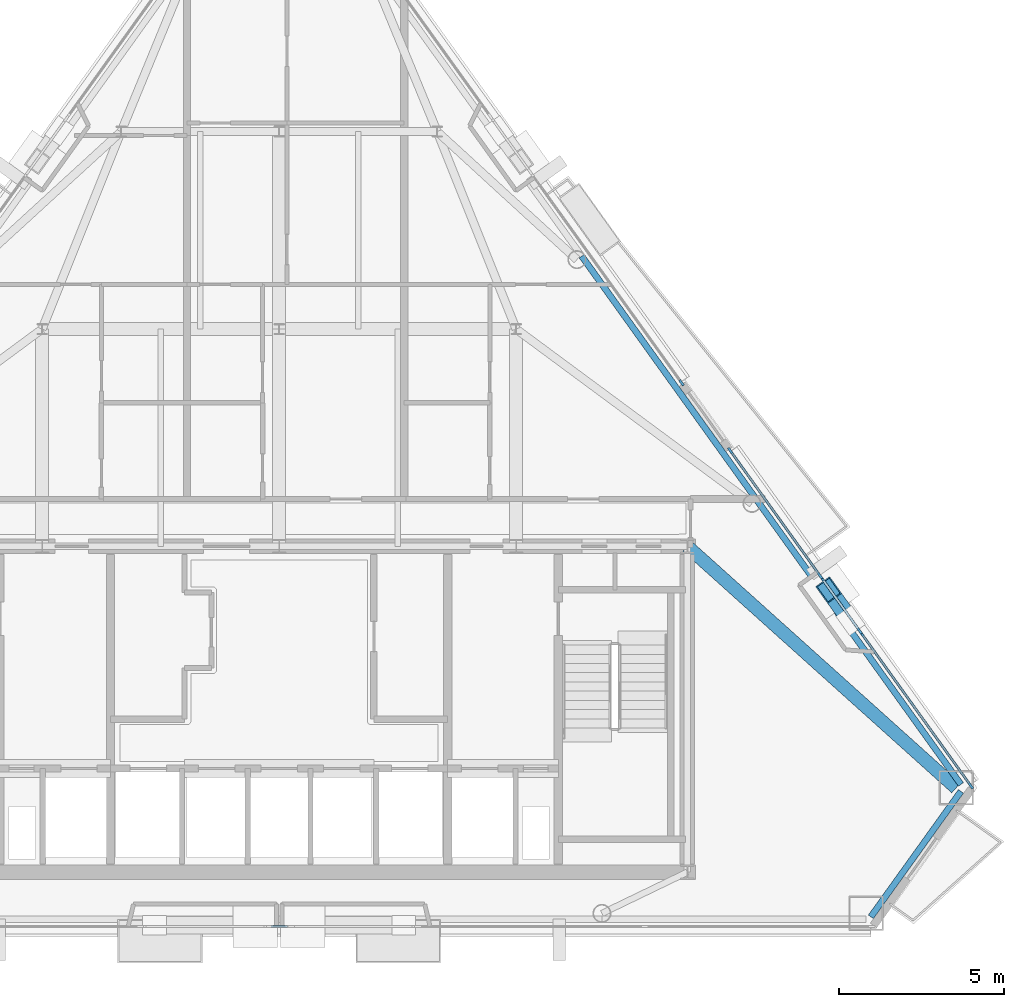
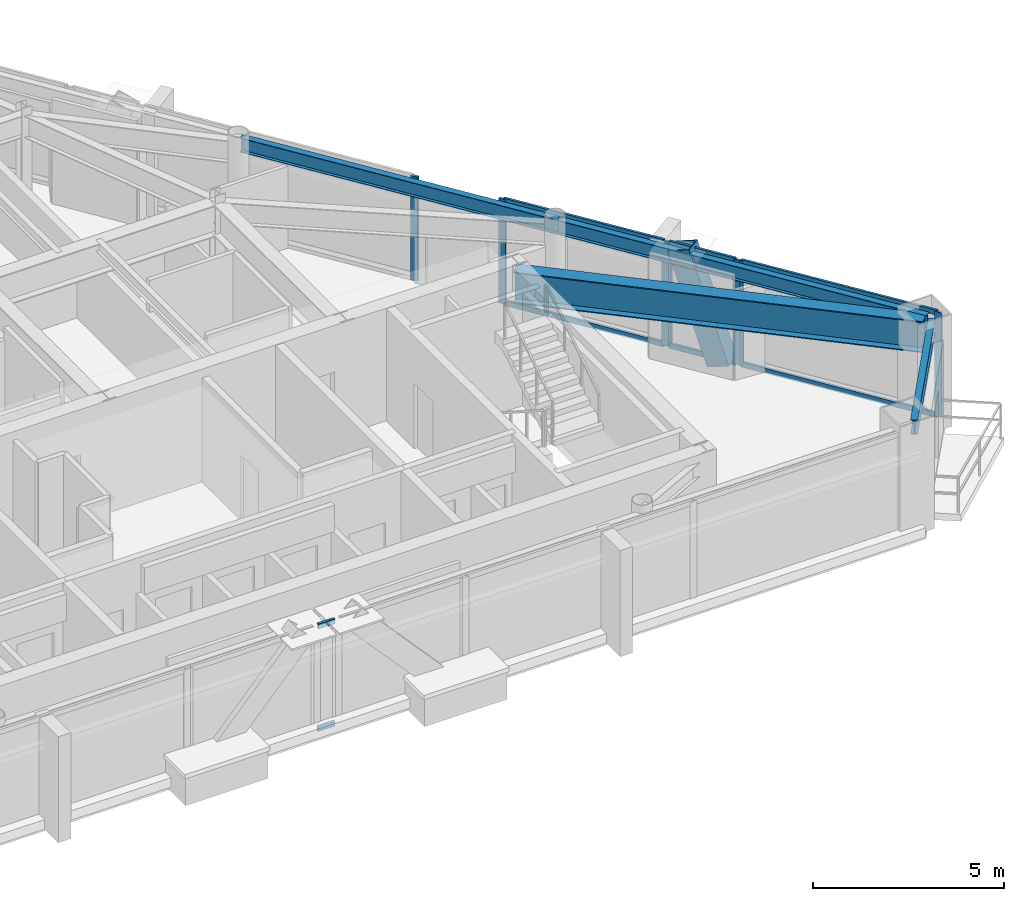
# One storey, part 5 of 12: 16 members, 4 beams, 5 elements without a shape of their own.
"""IFC4 building model written with IfcOpenShell, lengths in metres."""

from ifc_helpers import new_model, si_unit, direction, frame, origin, origin_2d, place, context, subcontext, project, spatial, rectangle, hollow_rectangle, i_section, extrude, material, layer, layer_set, material_profile, profile_set, type_object, element, aggregate, save


model = new_model("IFC4")

# Units and contexts
model_context = context("Model", 3, precision=1e-05, world=origin(), true_north=direction((0.0, 1.0)))
body_context = subcontext(model_context, "Body", "Model", "MODEL_VIEW")
ifc_project = project(units=[si_unit("LENGTHUNIT", "METRE"), si_unit("AREAUNIT", "SQUARE_METRE"), si_unit("VOLUMEUNIT", "CUBIC_METRE"), si_unit("PLANEANGLEUNIT", "RADIAN"), si_unit("MASSUNIT", "GRAM", prefix="KILO")], contexts=[model_context])

# Site, building, storey
site_placement = place(None, origin())
site = spatial("IfcSite", under=ifc_project, at=site_placement, CompositionType="ELEMENT")
building_placement = place(site_placement, origin())
building = spatial("IfcBuilding", under=site, at=building_placement, Name="Talgorran Terracotta Tower", CompositionType="ELEMENT")
storey_placement = place(building_placement, frame((0.0, 0.0, 221.699951171875)))
storey = spatial("IfcBuildingStorey", under=building, at=storey_placement, Name="L58", CompositionType="ELEMENT", Elevation=221.699951171875)

# Beams
ifc_material_1 = material(Name="Steel Grade 350 (350L0)", Category="steel")
ifc_material_profile_1 = material_profile(ifc_material_1, i_section(OverallWidth=0.39990234375, OverallDepth=1.0, WebThickness=0.01611328125, FlangeThickness=0.031005859375, at=origin_2d()), Name="1000WB296")
ifc_profile_set_1 = profile_set([ifc_material_profile_1], Name="Steel Grade 350 (350L0)")
beam_type_1 = type_object("IfcBeamType", Name="BM_1000WB296", PredefinedType="BEAM", material=ifc_profile_set_1)
beam_1_placement = place(storey_placement, frame((12.39990234375, -4.199951171875, 2.844970703125), z_axis=(0.743768255752, -0.668437567567, 0.0), x_axis=(0.668437567567, 0.743768255752, 0.0)))
element("IfcBeam", 1, at=beam_1_placement, inside=storey, type_object=beam_type_1, Name="L58 Floor Girder G18", PredefinedType="BEAM", context=body_context, shape_type="SweptSolid", body=[
    extrude(i_section(OverallWidth=0.39990234375, OverallDepth=1.0, WebThickness=0.01611328125, FlangeThickness=0.031005859375, at=origin_2d()), origin(), (0.0, 0.0, 1.0), 10.980224609375),
])
ifc_material_2 = material(Name="Steel S355 (300PLUS)", Category="steel")
ifc_material_profile_2 = material_profile(ifc_material_2, i_section(OverallWidth=0.18994140625, OverallDepth=0.45703125, WebThickness=0.009033203125, FlangeThickness=0.014404296875, at=origin_2d()), Name="460UB74.6")
ifc_profile_set_2 = profile_set([ifc_material_profile_2], Name="Steel S355 (300PLUS)")
beam_type_2 = type_object("IfcBeamType", Name="BM_SP_460UB74", PredefinedType="SPANDREL", material=ifc_profile_set_2)
beam_2_placement = place(storey_placement, frame((17.976318359375, -15.457275390625, 3.116455078125), z_axis=(0.583096756271, 0.812402715915, 0.0), x_axis=(-0.812402715915, 0.583096756271, 0.0)))
element("IfcBeam", 2, at=beam_2_placement, inside=storey, type_object=beam_type_2, Name="L58 Perimeter Spandrel Beam MC3-MC4", PredefinedType="SPANDREL", context=body_context, shape_type="SweptSolid", body=[
    extrude(i_section(OverallWidth=0.18994140625, OverallDepth=0.45703125, WebThickness=0.009033203125, FlangeThickness=0.014404296875, at=origin_2d()), origin(), (0.0, 0.0, 1.0), 4.693115234375),
])
beam_3_placement = place(storey_placement, frame((20.712890625, -11.4345703125, 3.116455078125), z_axis=(-0.583120966057, 0.812385338953, 0.0), x_axis=(-0.812385338953, -0.583120966057, 0.0)))
element("IfcBeam", 3, at=beam_3_placement, inside=storey, type_object=beam_type_2, Name="L58 Perimeter Spandrel Beam MC4-FC3", PredefinedType="SPANDREL", context=body_context, shape_type="SweptSolid", body=[
    extrude(i_section(OverallWidth=0.18994140625, OverallDepth=0.45703125, WebThickness=0.009033203125, FlangeThickness=0.014404296875, at=origin_2d()), origin(), (0.0, 0.0, 1.0), 10.63818359375),
])
beam_4_placement = place(storey_placement, frame((14.509521484375, -2.792236328125, 3.116455078125), z_axis=(-0.583100770976, 0.812399834372, 0.0), x_axis=(-0.812399834372, -0.583100770976, 0.0)))
element("IfcBeam", 4, at=beam_4_placement, inside=storey, type_object=beam_type_2, Name="L58 Perimeter Spandrel Beam FC3-FC4", PredefinedType="SPANDREL", context=body_context, shape_type="SweptSolid", body=[
    extrude(i_section(OverallWidth=0.18994140625, OverallDepth=0.45703125, WebThickness=0.009033203125, FlangeThickness=0.014404296875, at=origin_2d()), origin(), (0.0, 0.0, 1.0), 9.118408203125),
])

# Member
ifc_material_profile_3 = material_profile(ifc_material_1, hollow_rectangle(XDim=0.52001953125, YDim=0.659912109375, WallThickness=0.034912109375, at=origin_2d()), Name="WBOX660X520X35")
ifc_profile_set_3 = profile_set([ifc_material_profile_3], Name="Steel Grade 350 (350L0)")
member_type_1 = type_object("IfcMemberType", Name="MB_MEGA_660", PredefinedType="BRACE", material=ifc_profile_set_3)
member_1_placement = place(storey_placement, frame((17.359619140625, -6.453857421875, -0.02490234375), z_axis=(-0.185817679429, 0.258754186029, 0.947901925952), x_axis=(-0.812256146727, -0.583300910426, 0.0)))
element("IfcMember", 5, at=member_1_placement, inside=storey, type_object=member_type_1, Name="L58 Exterior Face Mega-Brace MB-3 (NEL)", PredefinedType="BRACE", context=body_context, shape_type="SweptSolid", body=[
    extrude(hollow_rectangle(XDim=0.52001953125, YDim=0.659912109375, WallThickness=0.034912109375, at=origin_2d()), origin(), (0.0, 0.0, 1.0), 3.58154296875),
])

# Curtain wall, members
ifc_material_3 = material(Name="High-Wind Unitised Glazing", Category="glass")
ifc_layer = layer(ifc_material_3, 0.2099609375, Name="CW_SYS3_RES_HIGH")
ifc_layer_set = layer_set([ifc_layer], Name="High-Wind Unitised Glazing")
curtain_wall_type = type_object("IfcCurtainWallType", Name="CW_SYS3_RES_HIGH", PredefinedType="NOTDEFINED", material=ifc_layer_set)
curtain_wall_1_placement = place(storey_placement, origin())
curtain_wall_1 = element("IfcCurtainWall", 6, at=curtain_wall_1_placement, inside=storey, type_object=curtain_wall_type, Name="CW-L58-F40", PredefinedType="NOTDEFINED")
ifc_material_4 = material(Name="Architectural Aluminium 6063-T6", Category="aluminium")
ifc_material_profile_4 = material_profile(ifc_material_4, rectangle(XDim=0.070068359375, YDim=0.199951171875, at=origin_2d()), Name="CWM70X200")
ifc_profile_set_4 = profile_set([ifc_material_profile_4], Name="Architectural Aluminium 6063-T6")
member_type_2 = type_object("IfcMemberType", Name="MUL_70X200", PredefinedType="MULLION", material=ifc_profile_set_4)
member_2_placement = place(storey_placement, frame((21.015380859375, -11.478759765625, 0.0), z_axis=(0.0, 0.0, 1.0), x_axis=(-0.812393069301, -0.583110196234, 0.0)))
member_2 = element("IfcMember", 7, at=member_2_placement, type_object=member_type_2, Name="CW-L58-40 mullion 1", PredefinedType="MULLION", context=body_context, shape_type="SweptSolid", body=[
    extrude(rectangle(XDim=0.070068359375, YDim=0.199951171875, at=origin_2d()), origin(), (0.0, 0.0, 1.0), 3.344970703125),
])
member_3_placement = place(storey_placement, frame((17.685302734375, -6.839111328125, 0.0), z_axis=(0.0, 0.0, 1.0), x_axis=(-0.812393069301, -0.583110196234, 0.0)))
member_3 = element("IfcMember", 8, at=member_3_placement, type_object=member_type_2, Name="CW-L58-40 mullion 2", PredefinedType="MULLION", context=body_context, shape_type="SweptSolid", body=[
    extrude(rectangle(XDim=0.070068359375, YDim=0.199951171875, at=origin_2d()), origin(), (0.0, 0.0, 1.0), 3.344970703125),
])

curtain_wall_2_placement = place(storey_placement, origin())
curtain_wall_2 = element("IfcCurtainWall", 9, at=curtain_wall_2_placement, inside=storey, type_object=curtain_wall_type, Name="CW-L58-F40B", PredefinedType="NOTDEFINED")
member_4_placement = place(storey_placement, frame((17.638427734375, -6.774169921875, 0.0), z_axis=(0.0, 0.0, 1.0), x_axis=(-0.812387522114, -0.583117924535, 0.0)))
member_4 = element("IfcMember", 10, at=member_4_placement, type_object=member_type_2, Name="CW-L58-40B mullion 1", PredefinedType="MULLION", context=body_context, shape_type="SweptSolid", body=[
    extrude(rectangle(XDim=0.070068359375, YDim=0.199951171875, at=origin_2d()), origin(), (0.0, 0.0, 1.0), 3.344970703125),
])
member_5_placement = place(storey_placement, frame((16.480224609375, -5.16015625, 0.0), z_axis=(0.0, 0.0, 1.0), x_axis=(-0.812387522114, -0.583117924535, 0.0)))
member_5 = element("IfcMember", 11, at=member_5_placement, type_object=member_type_2, Name="CW-L58-40B mullion 2", PredefinedType="MULLION", context=body_context, shape_type="SweptSolid", body=[
    extrude(rectangle(XDim=0.070068359375, YDim=0.199951171875, at=origin_2d()), origin(), (0.0, 0.0, 1.0), 3.344970703125),
])

curtain_wall_3_placement = place(storey_placement, origin())
curtain_wall_3 = element("IfcCurtainWall", 12, at=curtain_wall_3_placement, inside=storey, type_object=curtain_wall_type, Name="CW-L58-F40C", PredefinedType="NOTDEFINED")
member_6_placement = place(storey_placement, frame((16.43359375, -5.09521484375, 0.0), z_axis=(0.0, 0.0, 1.0), x_axis=(-0.812385799598, -0.5831203243, 0.0)))
member_6 = element("IfcMember", 13, at=member_6_placement, type_object=member_type_2, Name="CW-L58-40C mullion 1", PredefinedType="MULLION", context=body_context, shape_type="SweptSolid", body=[
    extrude(rectangle(XDim=0.070068359375, YDim=0.199951171875, at=origin_2d()), origin(), (0.0, 0.0, 1.0), 3.344970703125),
])
member_7_placement = place(storey_placement, frame((13.701171875, -1.28857421875, 0.0), z_axis=(0.0, 0.0, 1.0), x_axis=(-0.812385799598, -0.5831203243, 0.0)))
member_7 = element("IfcMember", 14, at=member_7_placement, type_object=member_type_2, Name="CW-L58-40C mullion 2", PredefinedType="MULLION", context=body_context, shape_type="SweptSolid", body=[
    extrude(rectangle(XDim=0.070068359375, YDim=0.199951171875, at=origin_2d()), origin(), (0.0, 0.0, 1.0), 3.344970703125),
])

# Curtain wall, member
curtain_wall_4_placement = place(storey_placement, origin())
curtain_wall_4 = element("IfcCurtainWall", 15, at=curtain_wall_4_placement, inside=storey, type_object=curtain_wall_type, Name="CW-L58-F41", PredefinedType="NOTDEFINED")
member_8_placement = place(storey_placement, frame((12.225830078125, 0.766845703125, 0.0), z_axis=(0.0, 0.0, 1.0), x_axis=(-0.812388436994, -0.583116649942, 0.0)))
member_8 = element("IfcMember", 16, at=member_8_placement, type_object=member_type_2, Name="CW-L58-41 mullion 1", PredefinedType="MULLION", context=body_context, shape_type="SweptSolid", body=[
    extrude(rectangle(XDim=0.070068359375, YDim=0.199951171875, at=origin_2d()), origin(), (0.0, 0.0, 1.0), 3.344970703125),
])
aggregate(curtain_wall_4, [member_8])

# Curtain wall, members
curtain_wall_5_placement = place(storey_placement, origin())
curtain_wall_5 = element("IfcCurtainWall", 17, at=curtain_wall_5_placement, inside=storey, type_object=curtain_wall_type, Name="CW-L58-F1C", PredefinedType="NOTDEFINED")
ifc_material_profile_5 = material_profile(ifc_material_4, rectangle(XDim=0.070068359375, YDim=0.159912109375, at=origin_2d()), Name="CWT70X160")
ifc_profile_set_5 = profile_set([ifc_material_profile_5], Name="Architectural Aluminium 6063-T6")
member_type_3 = type_object("IfcMemberType", Name="TRN_70X160", PredefinedType="USERDEFINED", material=ifc_profile_set_5)
member_9_placement = place(storey_placement, frame((-0.25048828125, -15.752197265625, 0.03515625), z_axis=(1.0, 0.0, 0.0), x_axis=(0.0, 1.0, 0.0)))
member_9 = element("IfcMember", 18, at=member_9_placement, type_object=member_type_3, Name="CW-L58-1C transom 1.1", ObjectType="TRANSOM", PredefinedType="USERDEFINED", context=body_context, shape_type="SweptSolid", body=[
    extrude(rectangle(XDim=0.070068359375, YDim=0.159912109375, at=origin_2d()), origin(), (0.0, 0.0, 1.0), 0.5009765625),
])
member_10_placement = place(storey_placement, frame((-0.25048828125, -15.752197265625, 3.31005859375), z_axis=(1.0, 0.0, 0.0), x_axis=(0.0, 1.0, 0.0)))
member_10 = element("IfcMember", 19, at=member_10_placement, type_object=member_type_3, Name="CW-L58-1C transom 1.2", ObjectType="TRANSOM", PredefinedType="USERDEFINED", context=body_context, shape_type="SweptSolid", body=[
    extrude(rectangle(XDim=0.070068359375, YDim=0.159912109375, at=origin_2d()), origin(), (0.0, 0.0, 1.0), 0.5009765625),
])
aggregate(curtain_wall_5, [member_9, member_10])

# Member
member_11_placement = place(storey_placement, frame((20.994873046875, -11.4501953125, 0.03515625), z_axis=(-0.583103527408, 0.812397855933, 0.0), x_axis=(-0.812397855933, -0.583103527408, 0.0)))
member_11 = element("IfcMember", 20, at=member_11_placement, type_object=member_type_3, Name="CW-L58-40 transom 1.1", ObjectType="TRANSOM", PredefinedType="USERDEFINED", context=body_context, shape_type="SweptSolid", body=[
    extrude(rectangle(XDim=0.070068359375, YDim=0.159912109375, at=origin_2d()), origin(), (0.0, 0.0, 1.0), 5.64111328125),
])

member_12_placement = place(storey_placement, frame((20.994873046875, -11.4501953125, 3.31005859375), z_axis=(-0.583103527408, 0.812397855933, 0.0), x_axis=(-0.812397855933, -0.583103527408, 0.0)))
member_12 = element("IfcMember", 21, at=member_12_placement, type_object=member_type_3, Name="CW-L58-40 transom 1.2", ObjectType="TRANSOM", PredefinedType="USERDEFINED", context=body_context, shape_type="SweptSolid", body=[
    extrude(rectangle(XDim=0.070068359375, YDim=0.159912109375, at=origin_2d()), origin(), (0.0, 0.0, 1.0), 5.64111328125),
])

aggregate(curtain_wall_1, [member_2, member_3, member_11, member_12])

member_13_placement = place(storey_placement, frame((17.6181640625, -6.74560546875, 0.03515625), z_axis=(-0.583176607776, 0.812345397071, 0.0), x_axis=(-0.812345397071, -0.583176607776, 0.0)))
member_13 = element("IfcMember", 22, at=member_13_placement, type_object=member_type_3, Name="CW-L58-40B transom 1.1", ObjectType="TRANSOM", PredefinedType="USERDEFINED", context=body_context, shape_type="SweptSolid", body=[
    extrude(rectangle(XDim=0.070068359375, YDim=0.159912109375, at=origin_2d()), origin(), (0.0, 0.0, 1.0), 1.91650390625),
])

member_14_placement = place(storey_placement, frame((17.6181640625, -6.74560546875, 3.31005859375), z_axis=(-0.583176607776, 0.812345397071, 0.0), x_axis=(-0.812345397071, -0.583176607776, 0.0)))
member_14 = element("IfcMember", 23, at=member_14_placement, type_object=member_type_3, Name="CW-L58-40B transom 1.2", ObjectType="TRANSOM", PredefinedType="USERDEFINED", context=body_context, shape_type="SweptSolid", body=[
    extrude(rectangle(XDim=0.070068359375, YDim=0.159912109375, at=origin_2d()), origin(), (0.0, 0.0, 1.0), 1.91650390625),
])

aggregate(curtain_wall_2, [member_4, member_5, member_13, member_14])

member_15_placement = place(storey_placement, frame((16.4130859375, -5.066650390625, 0.03515625), z_axis=(-0.583128021194, 0.812380274809, 0.0), x_axis=(-0.812380274809, -0.583128021194, 0.0)))
member_15 = element("IfcMember", 24, at=member_15_placement, type_object=member_type_3, Name="CW-L58-40C transom 1.1", ObjectType="TRANSOM", PredefinedType="USERDEFINED", context=body_context, shape_type="SweptSolid", body=[
    extrude(rectangle(XDim=0.070068359375, YDim=0.159912109375, at=origin_2d()), origin(), (0.0, 0.0, 1.0), 4.615478515625),
])

member_16_placement = place(storey_placement, frame((16.4130859375, -5.066650390625, 3.31005859375), z_axis=(-0.583128021194, 0.812380274809, 0.0), x_axis=(-0.812380274809, -0.583128021194, 0.0)))
member_16 = element("IfcMember", 25, at=member_16_placement, type_object=member_type_3, Name="CW-L58-40C transom 1.2", ObjectType="TRANSOM", PredefinedType="USERDEFINED", context=body_context, shape_type="SweptSolid", body=[
    extrude(rectangle(XDim=0.070068359375, YDim=0.159912109375, at=origin_2d()), origin(), (0.0, 0.0, 1.0), 4.615478515625),
])

aggregate(curtain_wall_3, [member_6, member_7, member_15, member_16])

save(model, "model.ifc")
